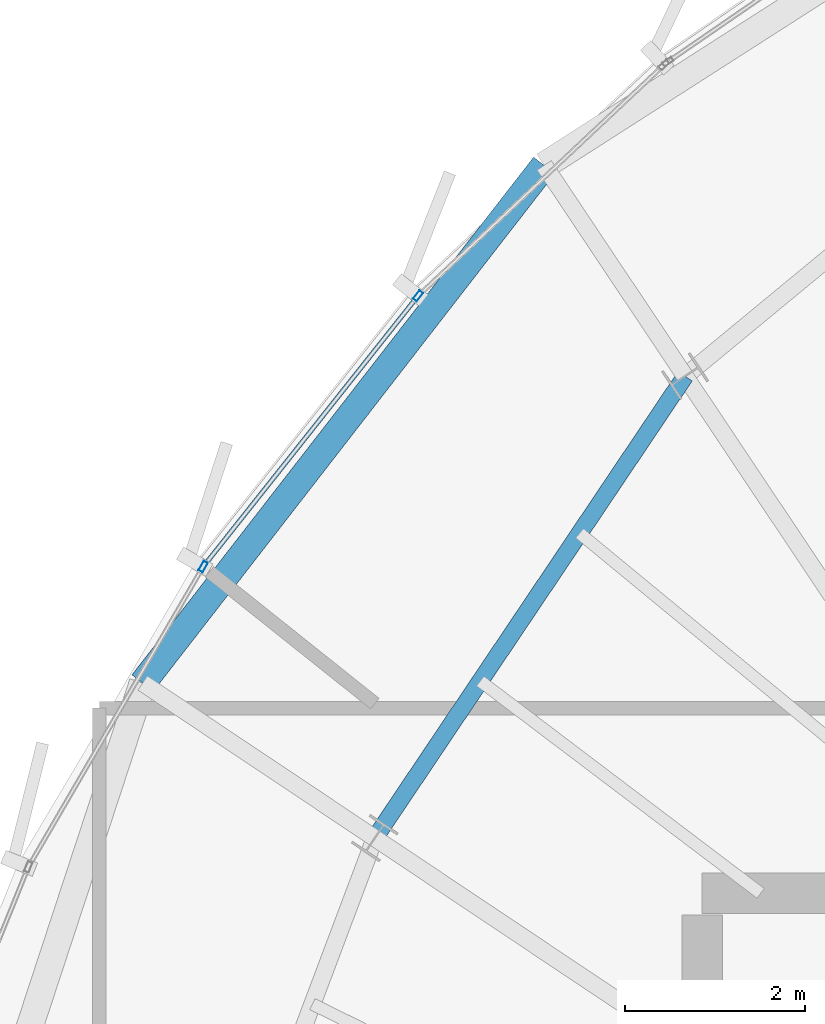
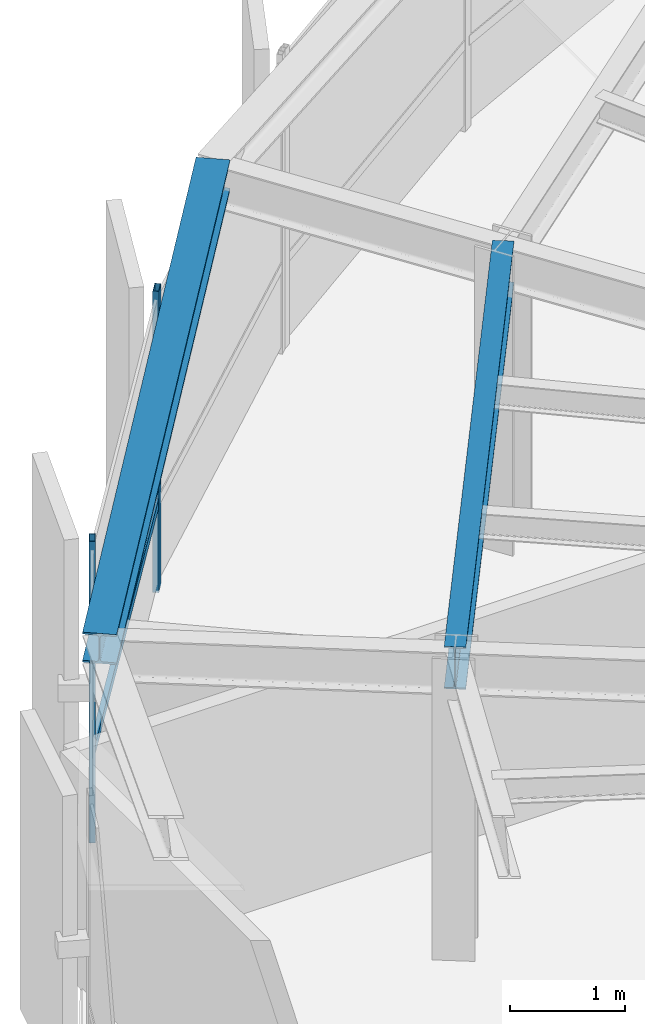
# One storey, part 17 of 31: 3 members, 2 beams, 1 element without a shape of its own.
"""IFC4 building model written with IfcOpenShell, lengths in metres."""

from ifc_helpers import new_model, si_unit, direction, frame, origin, origin_2d, place, context, subcontext, project, spatial, hollow_rectangle, i_section, extrude, source, transform, mapped, material, layer, layer_set, material_profile, profile_set, type_object, element, aggregate, save


model = new_model("IFC4")

# Units and contexts
model_context = context("Model", 3, precision=1e-05, world=origin(), true_north=direction((0.0, 1.0)))
body_context = subcontext(model_context, "Body", "Model", "MODEL_VIEW")
ifc_project = project(units=[si_unit("LENGTHUNIT", "METRE"), si_unit("AREAUNIT", "SQUARE_METRE"), si_unit("VOLUMEUNIT", "CUBIC_METRE"), si_unit("PLANEANGLEUNIT", "RADIAN"), si_unit("MASSUNIT", "GRAM", prefix="KILO"), si_unit("THERMODYNAMICTEMPERATUREUNIT", "KELVIN")], contexts=[model_context])

# Site, building, storey
site_placement = place(None, origin())
site = spatial("IfcSite", under=ifc_project, at=site_placement, CompositionType="ELEMENT")
building_placement = place(site_placement, origin())
building = spatial("IfcBuilding", under=site, at=building_placement, Name="Kethvar Cultural Tower", CompositionType="ELEMENT")
storey_placement = place(building_placement, frame((0.0, 0.0, 290.5)))
storey = spatial("IfcBuildingStorey", under=building, at=storey_placement, Name="L77", CompositionType="ELEMENT", Elevation=290.5)

# Beams
ifc_material_1 = material(Name="Steel S355J2", Category="steel")
ifc_material_profile_1 = material_profile(ifc_material_1, i_section(OverallWidth=0.18994140625, OverallDepth=0.449951171875, WebThickness=0.009521484375, FlangeThickness=0.0146484375, FilletRadius=0.02099609375, at=origin_2d()), Name="Steel S355J2 — IPE450")
ifc_profile_set_1 = profile_set([ifc_material_profile_1], Name="Steel S355J2 — IPE450")
beam_type_1 = type_object("IfcBeamType", Name="BM-IPE450", PredefinedType="BEAM", material=ifc_profile_set_1)
shared_shape_1 = source(origin(), body_context, "Body", "SweptSolid", [
    extrude(i_section(OverallWidth=0.18994140625, OverallDepth=0.449951171875, WebThickness=0.009521484375, FlangeThickness=0.0146484375, FilletRadius=0.02099609375, at=origin_2d()), origin(), (0.0, 0.0, 1.0), 6.192626953125),
])
beam_1_placement = place(storey_placement, frame((37.8095703125, 41.255126953125, 2.98291015625), z_axis=(-0.557698912025, -0.830043326295, 0.0), x_axis=(0.830043326295, -0.557698912025, 0.0)))
element("IfcBeam", 1, at=beam_1_placement, inside=storey, type_object=beam_type_1, Name="L77 Column Ring Tie Beam CR-06", PredefinedType="BEAM", context=body_context, shape_type="MappedRepresentation", body=[
    mapped(shared_shape_1, transform((0.0, 0.0, 0.0), scale=1.0)),
])
ifc_material_profile_2 = material_profile(ifc_material_1, i_section(OverallWidth=0.300048828125, OverallDepth=0.320068359375, WebThickness=0.011474609375, FlangeThickness=0.0205078125, FilletRadius=0.027099609375, at=origin_2d()), Name="Steel S355J2 — HEB320")
ifc_profile_set_2 = profile_set([ifc_material_profile_2], Name="Steel S355J2 — HEB320")
beam_type_2 = type_object("IfcBeamType", Name="BM-SP320", PredefinedType="SPANDREL", material=ifc_profile_set_2)
shared_shape_2 = source(origin(), body_context, "Body", "SweptSolid", [
    extrude(i_section(OverallWidth=0.300048828125, OverallDepth=0.320068359375, WebThickness=0.011474609375, FlangeThickness=0.0205078125, FilletRadius=0.027099609375, at=origin_2d()), origin(), (0.0, 0.0, 1.0), 7.290771484375),
])
beam_2_placement = place(storey_placement, frame((36.241943359375, 43.601318359375, 3.048095703125), z_axis=(-0.612966468274, -0.790108922094, 0.0), x_axis=(0.790108922094, -0.612966468274, 0.0)))
element("IfcBeam", 2, at=beam_2_placement, inside=storey, type_object=beam_type_2, Name="L77 Perimeter Spandrel Beam SP-06", PredefinedType="SPANDREL", context=body_context, shape_type="MappedRepresentation", body=[
    mapped(shared_shape_2, transform((0.0, 0.0, 0.0), scale=1.0)),
])

# Curtain wall, members
ifc_material_2 = material(Name="Aluminium 6063-T6", Category="aluminium")
ifc_layer = layer(ifc_material_2, 0.179931640625, Name="Aluminium 6063-T6", Category="aluminium")
ifc_layer_set = layer_set([ifc_layer], Name="Aluminium 6063-T6 (180 mm)")
curtain_wall_type = type_object("IfcCurtainWallType", Name="CW-SYS-05-Z56", PredefinedType="NOTDEFINED", material=ifc_layer_set)
curtain_wall_placement = place(storey_placement, origin())
curtain_wall = element("IfcCurtainWall", 3, at=curtain_wall_placement, inside=storey, type_object=curtain_wall_type, Name="L77 Curtain Wall Run 02", PredefinedType="NOTDEFINED")
ifc_material_profile_3 = material_profile(ifc_material_2, hollow_rectangle(XDim=0.054931640625, YDim=0.1201171875, WallThickness=0.00390625, at=origin_2d()), Name="Aluminium 6063-T6 — RHS120x55x4")
ifc_profile_set_3 = profile_set([ifc_material_profile_3], Name="Aluminium 6063-T6 — RHS120x55x4")
member_type_1 = type_object("IfcMemberType", Name="CW-SYS-05-Z56-MUL", PredefinedType="MULLION", material=ifc_profile_set_3)
shared_shape_3 = source(origin(), body_context, "Body", "SweptSolid", [
    extrude(hollow_rectangle(XDim=0.054931640625, YDim=0.1201171875, WallThickness=0.00390625, at=origin_2d()), origin(), (0.0, 0.0, 1.0), 3.2099609375),
])
member_1_placement = place(storey_placement, frame((34.836669921875, 42.148193359375, 0.0), z_axis=(0.0, 0.0, 1.0), x_axis=(0.783509124576, -0.621380279463, 0.0)))
member_1 = element("IfcMember", 4, at=member_1_placement, type_object=member_type_1, Name="CW-L77-R02 Mullion 2", PredefinedType="MULLION", context=body_context, shape_type="MappedRepresentation", body=[
    mapped(shared_shape_3, transform((0.0, 0.0, 0.0), scale=1.0)),
])
member_2_placement = place(storey_placement, frame((32.44580078125, 39.135498046875, 0.0), z_axis=(0.0, 0.0, 1.0), x_axis=(0.864301138832, -0.502974692618, 0.0)))
member_2 = element("IfcMember", 5, at=member_2_placement, type_object=member_type_1, Name="CW-L77-R02 Mullion 3", PredefinedType="MULLION", context=body_context, shape_type="MappedRepresentation", body=[
    mapped(shared_shape_3, transform((0.0, 0.0, 0.0), scale=1.0)),
])
ifc_material_profile_4 = material_profile(ifc_material_2, hollow_rectangle(XDim=0.050048828125, YDim=0.10009765625, WallThickness=0.00390625, at=origin_2d()), Name="Aluminium 6063-T6 — RHS100x50x4")
ifc_profile_set_4 = profile_set([ifc_material_profile_4], Name="Aluminium 6063-T6 — RHS100x50x4")
member_type_2 = type_object("IfcMemberType", Name="CW-SYS-05-Z56-TRN", PredefinedType="USERDEFINED", material=ifc_profile_set_4)
shared_shape_4 = source(origin(), body_context, "Body", "SweptSolid", [
    extrude(hollow_rectangle(XDim=0.050048828125, YDim=0.10009765625, WallThickness=0.00390625, at=origin_2d()), origin(), (0.0, 0.0, 1.0), 3.78125),
])
member_3_placement = place(storey_placement, frame((34.81201171875, 42.1171875, 0.949951171875), z_axis=(-0.621382410411, -0.783507434574, 0.0), x_axis=(0.783507434574, -0.621382410411, 0.0)))
member_3 = element("IfcMember", 6, at=member_3_placement, type_object=member_type_2, Name="CW-L77-R02 Transom 2", ObjectType="TRANSOM", PredefinedType="USERDEFINED", context=body_context, shape_type="MappedRepresentation", body=[
    mapped(shared_shape_4, transform((0.0, 0.0, 0.0), scale=1.0)),
])
aggregate(curtain_wall, [member_1, member_2, member_3])

save(model, "model.ifc")
